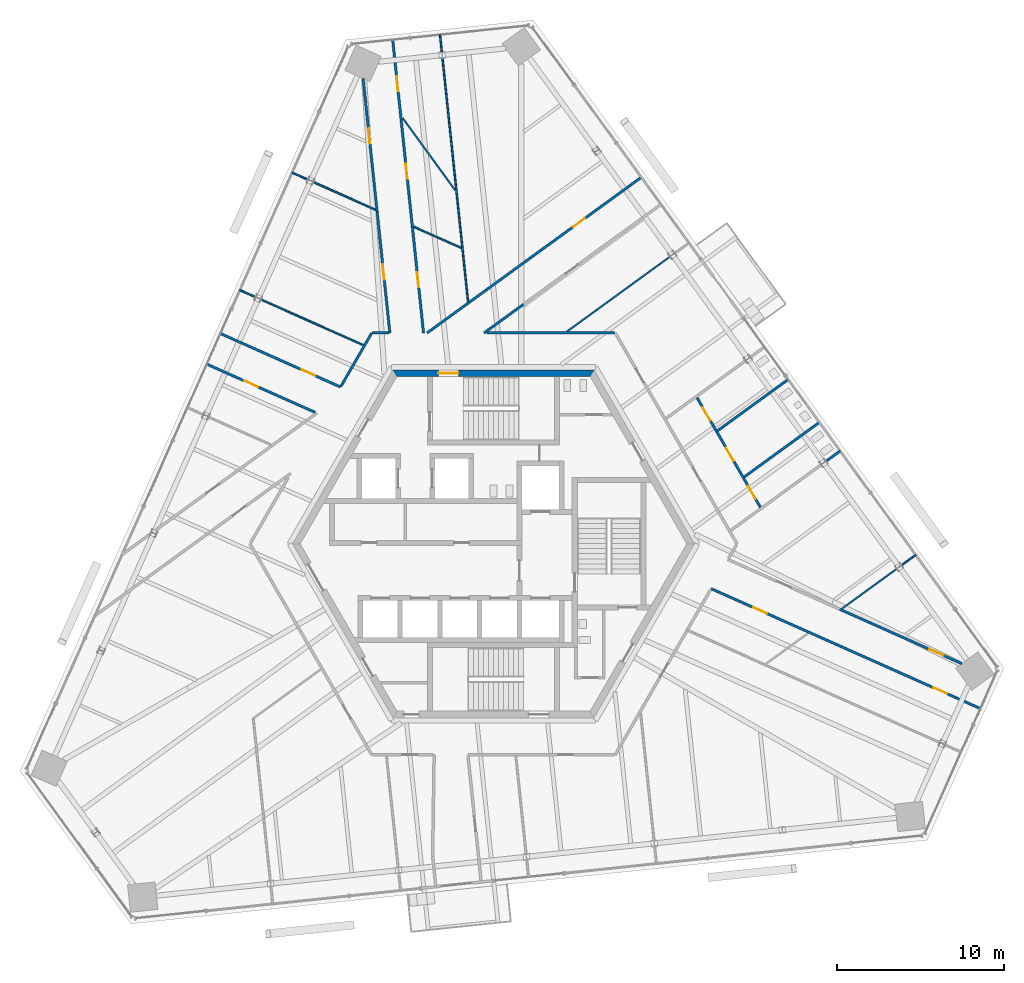
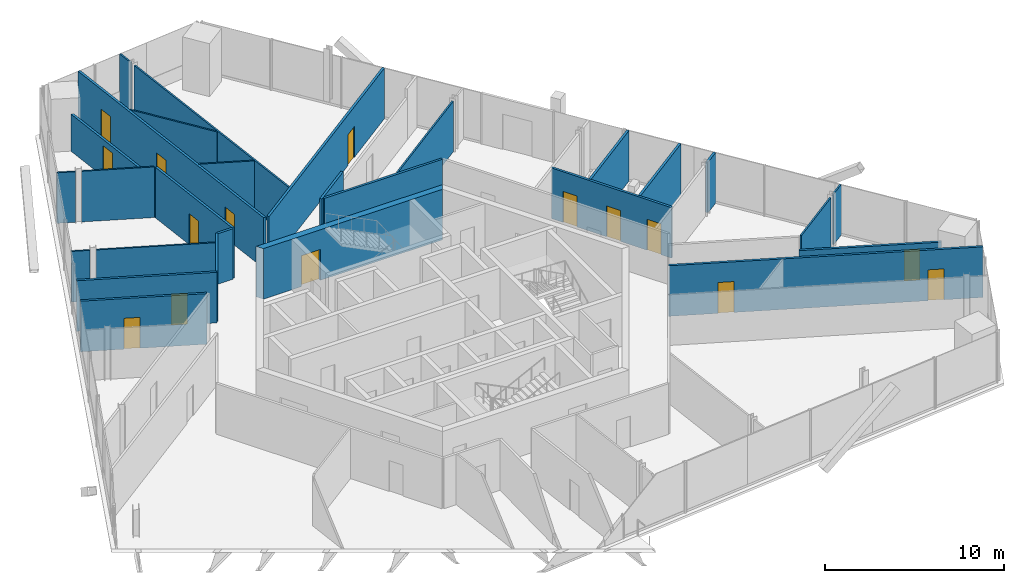
# One storey, part 14 of 19: 28 walls, 15 doors, 15 openings.
"""IFC4 building model written with IfcOpenShell, lengths in metres."""

from ifc_helpers import new_model, si_unit, direction, frame, frame_2d, origin, place, context, subcontext, project, spatial, polyline, rectangle, outline, extrude, source, transform, mapped, material, layer, layer_set, type_object, element, fill, save


model = new_model("IFC4")

# Units and contexts
model_context = context("Model", 3, precision=1e-05, world=origin(), true_north=direction((0.0, 1.0)))
body_context = subcontext(model_context, "Body", "Model", "MODEL_VIEW")
ifc_project = project(units=[si_unit("LENGTHUNIT", "METRE"), si_unit("AREAUNIT", "SQUARE_METRE"), si_unit("VOLUMEUNIT", "CUBIC_METRE"), si_unit("PLANEANGLEUNIT", "RADIAN"), si_unit("MASSUNIT", "GRAM", prefix="KILO")], contexts=[model_context])

# Site, building, storey
site_placement = place(None, origin())
site = spatial("IfcSite", under=ifc_project, at=site_placement, CompositionType="ELEMENT")
building_placement = place(site_placement, origin())
building = spatial("IfcBuilding", under=site, at=building_placement, Name="Triune Harvest Tower", CompositionType="ELEMENT")
storey_placement = place(building_placement, frame((0.0, 0.0, 244.89990234375)))
storey = spatial("IfcBuildingStorey", under=building, at=storey_placement, Name="L64", CompositionType="ELEMENT", Elevation=244.89990234375)

# Wall, opening, door
ifc_material_1 = material(Name="Gypsum board on steel studs", Category="steel")
ifc_layer_1 = layer(ifc_material_1, 0.14990234375)
ifc_layer_set_1 = layer_set([ifc_layer_1], Name="Gypsum board on steel studs")
wall_type_1 = type_object("IfcWallType", Name="Fire Partition 150 mm", PredefinedType="PARTITIONING", material=ifc_layer_set_1)
wall_1_placement = place(storey_placement, frame((-6.952880859375, 19.8525390625, 0.0), z_axis=(0.0, 0.0, 1.0), x_axis=(0.104508955869, -0.994523945485, 0.0)))
wall_1 = element("IfcWall", 1, at=wall_1_placement, inside=storey, type_object=wall_type_1, Name="Partition L64 006a", PredefinedType="PARTITIONING", context=body_context, shape_type="SweptSolid", body=[
    extrude(rectangle(XDim=7.30029296875, YDim=0.14990234375, at=frame_2d((3.650146484375, 0.0))), origin(), (0.0, 0.0, 1.0), 3.440185546875),
])
opening_1_placement = place(wall_1_placement, frame((3.19140625, 0.0, 0.0)))
opening_1 = element("IfcOpeningElement", 2, at=opening_1_placement, cuts=wall_1, Name="Opening L64-014", PredefinedType="OPENING", context=body_context, shape_type="SweptSolid", body=[
    extrude(rectangle(XDim=0.89990234375, YDim=2.10009765625, at=frame_2d((0.449951171875, 1.050048828125))), frame((0.0, 0.0849609375, 0.0), z_axis=(0.0, -1.0, 0.0), x_axis=(1.0, 0.0, 0.0)), (0.0, 0.0, 1.0), 0.169921875),
])
ifc_material_2 = material(Name="Timber and steel door set", Category="steel")
door_type_1 = type_object("IfcDoorType", Name="Single leaf door FD30 left hand 900 x 2100", OperationType="SINGLE_SWING_LEFT", PredefinedType="DOOR", material=ifc_material_2)
door_1_placement = place(opening_1_placement, origin())
door_1 = element("IfcDoor", 3, at=door_1_placement, inside=storey, type_object=door_type_1, Name="Door L64-014 Project Room 64.14", OperationType="SINGLE_SWING_LEFT", OverallHeight=2.10009765625, OverallWidth=0.89990234375, PredefinedType="DOOR", context=body_context, shape_type="SweptSolid", body=[
    extrude(rectangle(XDim=0.89990234375, YDim=2.10009765625, at=frame_2d((0.449951171875, 1.050048828125))), frame((0.0, 0.02490234375, 0.0), z_axis=(0.0, -1.0, 0.0), x_axis=(1.0, 0.0, 0.0)), (0.0, 0.0, 1.0), 0.050048828125),
])
fill(opening_1, door_1)

# Wall, openings, doors
wall_2_placement = place(storey_placement, frame((-6.018798828125, 30.096923828125, 0.0), z_axis=(0.0, 0.0, 1.0), x_axis=(0.104530266464, -0.994521705843, 0.0)))
wall_2 = element("IfcWall", 4, at=wall_2_placement, inside=storey, type_object=wall_type_1, Name="Partition L64 007", PredefinedType="PARTITIONING", context=body_context, shape_type="SweptSolid", body=[
    extrude(rectangle(XDim=17.60107421875, YDim=0.14990234375, at=frame_2d((8.800537109375, 0.0))), origin(), (0.0, 0.0, 1.0), 3.440185546875),
])
opening_2_placement = place(wall_2_placement, frame((2.177001953125, 0.0, 0.0)))
opening_2 = element("IfcOpeningElement", 5, at=opening_2_placement, cuts=wall_2, Name="Opening L64-011", PredefinedType="OPENING", context=body_context, shape_type="SweptSolid", body=[
    extrude(rectangle(XDim=0.89990234375, YDim=2.10009765625, at=frame_2d((0.449951171875, 1.050048828125))), frame((0.0, 0.0849609375, 0.0), z_axis=(0.0, -1.0, 0.0), x_axis=(1.0, 0.0, 0.0)), (0.0, 0.0, 1.0), 0.169921875),
])
opening_3_placement = place(wall_2_placement, frame((7.436767578125, 0.0, 0.0)))
opening_3 = element("IfcOpeningElement", 6, at=opening_3_placement, cuts=wall_2, Name="Opening L64-013", PredefinedType="OPENING", context=body_context, shape_type="SweptSolid", body=[
    extrude(rectangle(XDim=0.89990234375, YDim=2.10009765625, at=frame_2d((0.449951171875, 1.050048828125))), frame((0.0, 0.0849609375, 0.0), z_axis=(0.0, -1.0, 0.0), x_axis=(1.0, 0.0, 0.0)), (0.0, 0.0, 1.0), 0.169921875),
])
opening_4_placement = place(wall_2_placement, frame((13.951171875, 0.0, 0.0)))
opening_4 = element("IfcOpeningElement", 7, at=opening_4_placement, cuts=wall_2, Name="Opening L64-015", PredefinedType="OPENING", context=body_context, shape_type="SweptSolid", body=[
    extrude(rectangle(XDim=0.89990234375, YDim=2.10009765625, at=frame_2d((0.449951171875, 1.050048828125))), frame((0.0, 0.0849609375, 0.0), z_axis=(0.0, -1.0, 0.0), x_axis=(1.0, 0.0, 0.0)), (0.0, 0.0, 1.0), 0.169921875),
])
door_2_placement = place(opening_2_placement, origin())
door_2 = element("IfcDoor", 8, at=door_2_placement, inside=storey, type_object=door_type_1, Name="Door L64-011 Reception 64.11", OperationType="SINGLE_SWING_LEFT", OverallHeight=2.10009765625, OverallWidth=0.89990234375, PredefinedType="DOOR", context=body_context, shape_type="SweptSolid", body=[
    extrude(rectangle(XDim=0.89990234375, YDim=2.10009765625, at=frame_2d((0.449951171875, 1.050048828125))), frame((0.0, 0.02490234375, 0.0), z_axis=(0.0, -1.0, 0.0), x_axis=(1.0, 0.0, 0.0)), (0.0, 0.0, 1.0), 0.050048828125),
])
fill(opening_2, door_2)
door_3_placement = place(opening_3_placement, origin())
door_3 = element("IfcDoor", 9, at=door_3_placement, inside=storey, type_object=door_type_1, Name="Door L64-013 Dry Store Room 64.13", OperationType="SINGLE_SWING_LEFT", OverallHeight=2.10009765625, OverallWidth=0.89990234375, PredefinedType="DOOR", context=body_context, shape_type="SweptSolid", body=[
    extrude(rectangle(XDim=0.89990234375, YDim=2.10009765625, at=frame_2d((0.449951171875, 1.050048828125))), frame((0.0, 0.02490234375, 0.0), z_axis=(0.0, -1.0, 0.0), x_axis=(1.0, 0.0, 0.0)), (0.0, 0.0, 1.0), 0.050048828125),
])
fill(opening_3, door_3)
ifc_material_3 = material(Name="Timber and steel door set", Category="steel")
door_type_2 = type_object("IfcDoorType", Name="Single leaf door FD30 right hand 900 x 2100", OperationType="SINGLE_SWING_RIGHT", PredefinedType="DOOR", material=ifc_material_3)
door_4_placement = place(opening_4_placement, origin())
door_4 = element("IfcDoor", 10, at=door_4_placement, inside=storey, type_object=door_type_2, Name="Door L64-015 Meeting Room 64.15", OperationType="SINGLE_SWING_RIGHT", OverallHeight=2.10009765625, OverallWidth=0.89990234375, PredefinedType="DOOR", context=body_context, shape_type="SweptSolid", body=[
    extrude(rectangle(XDim=0.89990234375, YDim=2.10009765625, at=frame_2d((0.449951171875, 1.050048828125))), frame((0.0, 0.02490234375, 0.0), z_axis=(0.0, -1.0, 0.0), x_axis=(1.0, 0.0, 0.0)), (0.0, 0.0, 1.0), 0.050048828125),
])
fill(opening_4, door_4)

wall_3_placement = place(storey_placement, frame((12.114501953125, 8.8017578125, 0.0), z_axis=(0.0, 0.0, 1.0), x_axis=(0.499995228395, -0.866028158654, 0.0)))
wall_3 = element("IfcWall", 11, at=wall_3_placement, inside=storey, type_object=wall_type_1, Name="Partition L64 017", PredefinedType="PARTITIONING", context=body_context, shape_type="SweptSolid", body=[
    extrude(rectangle(XDim=7.7216796875, YDim=0.14990234375, at=frame_2d((3.86083984375, 0.0))), origin(), (0.0, 0.0, 1.0), 3.440185546875),
])
opening_5_placement = place(wall_3_placement, frame((6.171875, 0.0, 0.0)))
opening_5 = element("IfcOpeningElement", 12, at=opening_5_placement, cuts=wall_3, Name="Opening L64-005", PredefinedType="OPENING", context=body_context, shape_type="SweptSolid", body=[
    extrude(rectangle(XDim=0.89990234375, YDim=2.10009765625, at=frame_2d((0.449951171875, 1.050048828125))), frame((0.0, 0.0849609375, 0.0), z_axis=(0.0, -1.0, 0.0), x_axis=(1.0, 0.0, 0.0)), (0.0, 0.0, 1.0), 0.169921875),
])
opening_6_placement = place(wall_3_placement, frame((3.548583984375, 0.0, 0.0)))
opening_6 = element("IfcOpeningElement", 13, at=opening_6_placement, cuts=wall_3, Name="Opening L64-006", PredefinedType="OPENING", context=body_context, shape_type="SweptSolid", body=[
    extrude(rectangle(XDim=0.89990234375, YDim=2.10009765625, at=frame_2d((0.449951171875, 1.050048828125))), frame((0.0, 0.0849609375, 0.0), z_axis=(0.0, -1.0, 0.0), x_axis=(1.0, 0.0, 0.0)), (0.0, 0.0, 1.0), 0.169921875),
])
opening_7_placement = place(wall_3_placement, frame((0.76318359375, 0.0, 0.0)))
opening_7 = element("IfcOpeningElement", 14, at=opening_7_placement, cuts=wall_3, Name="Opening L64-007", PredefinedType="OPENING", context=body_context, shape_type="SweptSolid", body=[
    extrude(rectangle(XDim=0.89990234375, YDim=2.10009765625, at=frame_2d((0.449951171875, 1.050048828125))), frame((0.0, 0.0849609375, 0.0), z_axis=(0.0, -1.0, 0.0), x_axis=(1.0, 0.0, 0.0)), (0.0, 0.0, 1.0), 0.169921875),
])
door_5_placement = place(opening_7_placement, origin())
door_5 = element("IfcDoor", 15, at=door_5_placement, inside=storey, type_object=door_type_1, Name="Door L64-007 Accessible WC 64.07", OperationType="SINGLE_SWING_LEFT", OverallHeight=2.10009765625, OverallWidth=0.89990234375, PredefinedType="DOOR", context=body_context, shape_type="SweptSolid", body=[
    extrude(rectangle(XDim=0.89990234375, YDim=2.10009765625, at=frame_2d((0.449951171875, 1.050048828125))), frame((0.0, 0.02490234375, 0.0), z_axis=(0.0, -1.0, 0.0), x_axis=(1.0, 0.0, 0.0)), (0.0, 0.0, 1.0), 0.050048828125),
])
fill(opening_7, door_5)
door_6_placement = place(opening_5_placement, origin())
door_6 = element("IfcDoor", 16, at=door_6_placement, inside=storey, type_object=door_type_2, Name="Door L64-005 Women's WC 64.05", OperationType="SINGLE_SWING_RIGHT", OverallHeight=2.10009765625, OverallWidth=0.89990234375, PredefinedType="DOOR", context=body_context, shape_type="SweptSolid", body=[
    extrude(rectangle(XDim=0.89990234375, YDim=2.10009765625, at=frame_2d((0.449951171875, 1.050048828125))), frame((0.0, 0.02490234375, 0.0), z_axis=(0.0, -1.0, 0.0), x_axis=(1.0, 0.0, 0.0)), (0.0, 0.0, 1.0), 0.050048828125),
])
fill(opening_5, door_6)
door_7_placement = place(opening_6_placement, origin())
door_7 = element("IfcDoor", 17, at=door_7_placement, inside=storey, type_object=door_type_2, Name="Door L64-006 Men's WC 64.06", OperationType="SINGLE_SWING_RIGHT", OverallHeight=2.10009765625, OverallWidth=0.89990234375, PredefinedType="DOOR", context=body_context, shape_type="SweptSolid", body=[
    extrude(rectangle(XDim=0.89990234375, YDim=2.10009765625, at=frame_2d((0.449951171875, 1.050048828125))), frame((0.0, 0.02490234375, 0.0), z_axis=(0.0, -1.0, 0.0), x_axis=(1.0, 0.0, 0.0)), (0.0, 0.0, 1.0), 0.050048828125),
])
fill(opening_6, door_7)

# Wall, opening, door
wall_4_placement = place(storey_placement, frame((-17.118896484375, 10.73046875, 0.0), z_axis=(0.0, 0.0, 1.0), x_axis=(0.913533931173, -0.406762530964, 0.0)))
wall_4 = element("IfcWall", 18, at=wall_4_placement, inside=storey, type_object=wall_type_1, Name="Partition L64 023", PredefinedType="PARTITIONING", context=body_context, shape_type="SweptSolid", body=[
    extrude(rectangle(XDim=7.076904296875, YDim=0.14990234375, at=frame_2d((3.53857421875, 0.0))), origin(), (0.0, 0.0, 1.0), 3.440185546875),
])
opening_8_placement = place(wall_4_placement, frame((2.449951171875, 0.0, 0.0)))
opening_8 = element("IfcOpeningElement", 19, at=opening_8_placement, cuts=wall_4, Name="Opening L64-016", PredefinedType="OPENING", context=body_context, shape_type="SweptSolid", body=[
    extrude(rectangle(XDim=0.89990234375, YDim=2.10009765625, at=frame_2d((0.449951171875, 1.050048828125))), frame((0.0, 0.0849609375, 0.0), z_axis=(0.0, -1.0, 0.0), x_axis=(1.0, 0.0, 0.0)), (0.0, 0.0, 1.0), 0.169921875),
])
door_8_placement = place(opening_8_placement, origin())
door_8 = element("IfcDoor", 20, at=door_8_placement, inside=storey, type_object=door_type_2, Name="Door L64-016 Meeting Room 64.16", OperationType="SINGLE_SWING_RIGHT", OverallHeight=2.10009765625, OverallWidth=0.89990234375, PredefinedType="DOOR", context=body_context, shape_type="SweptSolid", body=[
    extrude(rectangle(XDim=0.89990234375, YDim=2.10009765625, at=frame_2d((0.449951171875, 1.050048828125))), frame((0.0, 0.02490234375, 0.0), z_axis=(0.0, -1.0, 0.0), x_axis=(1.0, 0.0, 0.0)), (0.0, 0.0, 1.0), 0.050048828125),
])
fill(opening_8, door_8)

# Wall, openings, doors
wall_5_placement = place(storey_placement, frame((12.99462890625, -2.677001953125, 0.0), z_axis=(0.0, 0.0, 1.0), x_axis=(0.913543662377, -0.406740675284, 0.0)))
wall_5 = element("IfcWall", 21, at=wall_5_placement, inside=storey, type_object=wall_type_1, Name="Partition L64 024", PredefinedType="PARTITIONING", context=body_context, shape_type="SweptSolid", body=[
    extrude(rectangle(XDim=17.601318359375, YDim=0.14990234375, at=frame_2d((8.80078125, 0.0))), origin(), (0.0, 0.0, 1.0), 3.440185546875),
])
opening_9_placement = place(wall_5_placement, frame((2.75, 0.0, 0.0)))
opening_9 = element("IfcOpeningElement", 22, at=opening_9_placement, cuts=wall_5, Name="Opening L64-002", PredefinedType="OPENING", context=body_context, shape_type="SweptSolid", body=[
    extrude(rectangle(XDim=0.89990234375, YDim=2.10009765625, at=frame_2d((0.449951171875, 1.050048828125))), frame((0.0, 0.0849609375, 0.0), z_axis=(0.0, -1.0, 0.0), x_axis=(1.0, 0.0, 0.0)), (0.0, 0.0, 1.0), 0.169921875),
])
opening_10_placement = place(wall_5_placement, frame((14.52392578125, 0.0, 0.0)))
opening_10 = element("IfcOpeningElement", 23, at=opening_10_placement, cuts=wall_5, Name="Opening L64-025", PredefinedType="OPENING", context=body_context, shape_type="SweptSolid", body=[
    extrude(rectangle(XDim=0.89990234375, YDim=2.10009765625, at=frame_2d((0.449951171875, 1.050048828125))), frame((0.0, 0.0849609375, 0.0), z_axis=(0.0, -1.0, 0.0), x_axis=(1.0, 0.0, 0.0)), (0.0, 0.0, 1.0), 0.169921875),
])
door_9_placement = place(opening_10_placement, origin())
door_9 = element("IfcDoor", 24, at=door_9_placement, inside=storey, type_object=door_type_1, Name="Door L64-025 Phone room 64.25", OperationType="SINGLE_SWING_LEFT", OverallHeight=2.10009765625, OverallWidth=0.89990234375, PredefinedType="DOOR", context=body_context, shape_type="SweptSolid", body=[
    extrude(rectangle(XDim=0.89990234375, YDim=2.10009765625, at=frame_2d((0.449951171875, 1.050048828125))), frame((0.0, 0.02490234375, 0.0), z_axis=(0.0, -1.0, 0.0), x_axis=(1.0, 0.0, 0.0)), (0.0, 0.0, 1.0), 0.050048828125),
])
fill(opening_10, door_9)
door_10_placement = place(opening_9_placement, origin())
door_10 = element("IfcDoor", 25, at=door_10_placement, inside=storey, type_object=door_type_2, Name="Door L64-002 Meeting Room 64.02", OperationType="SINGLE_SWING_RIGHT", OverallHeight=2.10009765625, OverallWidth=0.89990234375, PredefinedType="DOOR", context=body_context, shape_type="SweptSolid", body=[
    extrude(rectangle(XDim=0.89990234375, YDim=2.10009765625, at=frame_2d((0.449951171875, 1.050048828125))), frame((0.0, 0.02490234375, 0.0), z_axis=(0.0, -1.0, 0.0), x_axis=(1.0, 0.0, 0.0)), (0.0, 0.0, 1.0), 0.050048828125),
])
fill(opening_9, door_10)

# Wall, opening, door
wall_6_placement = place(storey_placement, frame((-16.3056640625, 12.5576171875, 0.0), z_axis=(0.0, 0.0, 1.0), x_axis=(0.913545895121, -0.406735660481, 0.0)))
wall_6 = element("IfcWall", 26, at=wall_6_placement, inside=storey, type_object=wall_type_1, Name="Partition L64 025", PredefinedType="PARTITIONING", context=body_context, shape_type="SweptSolid", body=[
    extrude(rectangle(XDim=7.8505859375, YDim=0.14990234375, at=frame_2d((3.92529296875, 0.0))), origin(), (0.0, 0.0, 1.0), 3.440185546875),
])
opening_11_placement = place(wall_6_placement, frame((5.300537109375, 0.0, 0.0)))
opening_11 = element("IfcOpeningElement", 27, at=opening_11_placement, cuts=wall_6, Name="Opening L64-017", PredefinedType="OPENING", context=body_context, shape_type="SweptSolid", body=[
    extrude(rectangle(XDim=0.89990234375, YDim=2.10009765625, at=frame_2d((0.449951171875, 1.050048828125))), frame((0.0, 0.0849609375, 0.0), z_axis=(0.0, -1.0, 0.0), x_axis=(1.0, 0.0, 0.0)), (0.0, 0.0, 1.0), 0.169921875),
])
door_11_placement = place(opening_11_placement, origin())
door_11 = element("IfcDoor", 28, at=door_11_placement, inside=storey, type_object=door_type_2, Name="Door L64-017 Office 64.17", OperationType="SINGLE_SWING_RIGHT", OverallHeight=2.10009765625, OverallWidth=0.89990234375, PredefinedType="DOOR", context=body_context, shape_type="SweptSolid", body=[
    extrude(rectangle(XDim=0.89990234375, YDim=2.10009765625, at=frame_2d((0.449951171875, 1.050048828125))), frame((0.0, 0.02490234375, 0.0), z_axis=(0.0, -1.0, 0.0), x_axis=(1.0, 0.0, 0.0)), (0.0, 0.0, 1.0), 0.050048828125),
])
fill(opening_11, door_11)

# Walls
wall_7_placement = place(storey_placement, frame((-0.37451171875, 12.59228515625, 0.0), z_axis=(0.0, 0.0, 1.0), x_axis=(1.0, 0.0, 0.0)))
element("IfcWall", 29, at=wall_7_placement, inside=storey, type_object=wall_type_1, Name="Partition L64 035", PredefinedType="PARTITIONING", context=body_context, shape_type="SweptSolid", body=[
    extrude(rectangle(XDim=7.5947265625, YDim=0.14990234375, at=frame_2d((3.79736328125, 0.0))), origin(), (0.0, 0.0, 1.0), 3.440185546875),
])
wall_8_placement = place(storey_placement, frame((19.849365234375, 4.92919921875, 0.0), z_axis=(0.0, 0.0, 1.0), x_axis=(0.808967759712, 0.587853012025, 0.0)))
element("IfcWall", 30, at=wall_8_placement, inside=storey, type_object=wall_type_1, Name="Partition L64 040", PredefinedType="PARTITIONING", context=body_context, shape_type="SweptSolid", body=[
    extrude(rectangle(XDim=1.0478515625, YDim=0.14990234375, at=frame_2d((0.52392578125, 0.0))), origin(), (0.0, 0.0, 1.0), 3.440185546875),
])
wall_9_placement = place(storey_placement, frame((14.962158203125, 3.98876953125, 0.0), z_axis=(0.0, 0.0, 1.0), x_axis=(0.809032498403, 0.587763912237, 0.0)))
element("IfcWall", 31, at=wall_9_placement, inside=storey, type_object=wall_type_1, Name="Partition L64 041", PredefinedType="PARTITIONING", context=body_context, shape_type="SweptSolid", body=[
    extrude(rectangle(XDim=5.554443359375, YDim=0.14990234375, at=frame_2d((2.77734375, 0.0))), origin(), (0.0, 0.0, 1.0), 3.440185546875),
])
wall_10_placement = place(storey_placement, frame((13.36962890625, 6.7470703125, 0.0), z_axis=(0.0, 0.0, 1.0), x_axis=(0.809025117745, 0.58777407127, 0.0)))
element("IfcWall", 32, at=wall_10_placement, inside=storey, type_object=wall_type_1, Name="Partition L64 042", PredefinedType="PARTITIONING", context=body_context, shape_type="SweptSolid", body=[
    extrude(rectangle(XDim=5.221435546875, YDim=0.14990234375, at=frame_2d((2.61083984375, 0.0))), origin(), (0.0, 0.0, 1.0), 3.440185546875),
])
wall_11_placement = place(storey_placement, frame((-0.564453125, 12.59228515625, 0.0), z_axis=(0.0, 0.0, 1.0), x_axis=(0.80901618863, 0.587786361304, 0.0)))
element("IfcWall", 33, at=wall_11_placement, inside=storey, type_object=wall_type_1, Name="Partition L64 049", PredefinedType="PARTITIONING", context=body_context, shape_type="SweptSolid", body=[
    extrude(rectangle(XDim=2.9013671875, YDim=0.14990234375, at=frame_2d((1.45068359375, 0.0))), origin(), (0.0, 0.0, 1.0), 3.440185546875),
])

# Wall, opening, door
wall_12_placement = place(storey_placement, frame((-3.967041015625, 12.59228515625, 0.0), z_axis=(0.0, 0.0, 1.0), x_axis=(0.809018431706, 0.587783273971, 0.0)))
wall_12 = element("IfcWall", 34, at=wall_12_placement, inside=storey, type_object=wall_type_1, Name="Partition L64 052", PredefinedType="PARTITIONING", context=body_context, shape_type="SweptSolid", body=[
    extrude(rectangle(XDim=15.8115234375, YDim=0.14990234375, at=frame_2d((7.90576171875, 0.0))), origin(), (0.0, 0.0, 1.0), 3.440185546875),
])
opening_12_placement = place(wall_12_placement, frame((10.761474609375, 0.0, 0.0)))
opening_12 = element("IfcOpeningElement", 35, at=opening_12_placement, cuts=wall_12, Name="Opening L64-009", PredefinedType="OPENING", context=body_context, shape_type="SweptSolid", body=[
    extrude(rectangle(XDim=0.89990234375, YDim=2.10009765625, at=frame_2d((0.449951171875, 1.050048828125))), frame((0.0, 0.0849609375, 0.0), z_axis=(0.0, -1.0, 0.0), x_axis=(1.0, 0.0, 0.0)), (0.0, 0.0, 1.0), 0.169921875),
])
door_12_placement = place(opening_12_placement, origin())
door_12 = element("IfcDoor", 36, at=door_12_placement, inside=storey, type_object=door_type_2, Name="Door L64-009 Office 64.09", OperationType="SINGLE_SWING_RIGHT", OverallHeight=2.10009765625, OverallWidth=0.89990234375, PredefinedType="DOOR", context=body_context, shape_type="SweptSolid", body=[
    extrude(rectangle(XDim=0.89990234375, YDim=2.10009765625, at=frame_2d((0.449951171875, 1.050048828125))), frame((0.0, 0.02490234375, 0.0), z_axis=(0.0, -1.0, 0.0), x_axis=(1.0, 0.0, 0.0)), (0.0, 0.0, 1.0), 0.050048828125),
])
fill(opening_12, door_12)

# Walls
wall_13_placement = place(storey_placement, frame((-9.10888671875, 9.407470703125, 0.0), z_axis=(0.0, 0.0, 1.0), x_axis=(0.499965700209, 0.866045205872, 0.0)))
element("IfcWall", 37, at=wall_13_placement, inside=storey, type_object=wall_type_1, Name="Partition L64 056", PredefinedType="PARTITIONING", context=body_context, shape_type="SweptSolid", body=[
    extrude(rectangle(XDim=3.677978515625, YDim=0.14990234375, at=frame_2d((1.8388671875, 0.0))), origin(), (0.0, 0.0, 1.0), 3.440185546875),
])
ifc_material_4 = material(Name="Gypsum board on steel studs", Category="steel")
ifc_layer_2 = layer(ifc_material_4, 0.10009765625)
ifc_layer_set_2 = layer_set([ifc_layer_2], Name="Gypsum board on steel studs")
wall_type_2 = type_object("IfcWallType", Name="Partition 100 mm", PredefinedType="PARTITIONING", material=ifc_layer_set_2)
wall_14_placement = place(storey_placement, frame((-3.050048828125, 29.01806640625, 0.0), z_axis=(0.0, 0.0, 1.0), x_axis=(0.10453452259, -0.994521258489, 0.0)))
element("IfcWall", 38, at=wall_14_placement, inside=storey, type_object=wall_type_2, Name="Partition L64 010", PredefinedType="PARTITIONING", context=body_context, shape_type="SweptSolid", body=[
    extrude(rectangle(XDim=14.6318359375, YDim=0.10009765625, at=frame_2d((7.31591796875, 0.0))), origin(), (0.0, 0.0, 1.0), 3.440185546875),
])
wall_15_placement = place(storey_placement, frame((-5.427978515625, 25.43310546875, 0.0), z_axis=(0.0, 0.0, 1.0), x_axis=(0.587771232927, -0.809027179855, 0.0)))
element("IfcWall", 39, at=wall_15_placement, inside=storey, type_object=wall_type_2, Name="Partition L64 018", PredefinedType="PARTITIONING", context=body_context, shape_type="SweptSolid", body=[
    extrude(rectangle(XDim=5.32958984375, YDim=0.10009765625, at=frame_2d((2.664794921875, 0.0))), origin(), (0.0, 0.0, 1.0), 3.440185546875),
])
wall_16_placement = place(storey_placement, frame((-10.76318359375, 21.6044921875, 0.0), z_axis=(0.0, 0.0, 1.0), x_axis=(0.913546929061, -0.406733338201, 0.0)))
element("IfcWall", 40, at=wall_16_placement, inside=storey, type_object=wall_type_2, Name="Partition L64 030", PredefinedType="PARTITIONING", context=body_context, shape_type="SweptSolid", body=[
    extrude(rectangle(XDim=4.073974609375, YDim=0.10009765625, at=frame_2d((2.037109375, 0.0))), origin(), (0.0, 0.0, 1.0), 3.440185546875),
])
wall_17_placement = place(storey_placement, frame((-4.76708984375, 18.934814453125, 0.0), z_axis=(0.0, 0.0, 1.0), x_axis=(0.913553135522, -0.406719397838, 0.0)))
element("IfcWall", 41, at=wall_17_placement, inside=storey, type_object=wall_type_2, Name="Partition L64 031", PredefinedType="PARTITIONING", context=body_context, shape_type="SweptSolid", body=[
    extrude(rectangle(XDim=3.118896484375, YDim=0.10009765625, at=frame_2d((1.5595703125, 0.0))), origin(), (0.0, 0.0, 1.0), 3.440185546875),
])
wall_18_placement = place(storey_placement, frame((20.795654296875, -3.875732421875, 0.0), z_axis=(0.0, 0.0, 1.0), x_axis=(0.809018438232, 0.587783264989, 0.0)))
element("IfcWall", 42, at=wall_18_placement, inside=storey, type_object=wall_type_2, Name="Partition L64 037", PredefinedType="PARTITIONING", context=body_context, shape_type="SweptSolid", body=[
    extrude(rectangle(XDim=4.07421875, YDim=0.10009765625, at=frame_2d((2.037109375, 0.0))), origin(), (0.0, 0.0, 1.0), 3.440185546875),
])
wall_19_placement = place(storey_placement, frame((4.39599609375, 12.686279296875, 0.0), z_axis=(0.0, 0.0, 1.0), x_axis=(0.80901634579, 0.587786144992, 0.0)))
element("IfcWall", 43, at=wall_19_placement, inside=storey, type_object=wall_type_2, Name="Partition L64 046", PredefinedType="PARTITIONING", context=body_context, shape_type="SweptSolid", body=[
    extrude(rectangle(XDim=7.60693359375, YDim=0.10009765625, at=frame_2d((3.803466796875, 0.0))), origin(), (0.0, 0.0, 1.0), 3.440185546875),
])

# Wall, opening, door
ifc_material_5 = material(Name="Concrete 70 MPa", Category="concrete")
ifc_layer_3 = layer(ifc_material_5, 0.39990234375)
ifc_layer_set_3 = layer_set([ifc_layer_3], Name="Concrete 70 MPa")
wall_type_3 = type_object("IfcWallType", Name="Core wall 400", PredefinedType="SHEAR", material=ifc_layer_set_3)
shared_shape_1 = source(origin(), body_context, "Body", "SweptSolid", [
    extrude(outline(polyline([(-0.115478515625, -0.199951171875), (11.884521484375, -0.199951171875), (11.653564453125, 0.199951171875), (0.115478515625, 0.199951171875), (-0.115478515625, -0.199951171875)])), origin(), (0.0, 0.0, 1.0), 3.440185546875),
])
wall_20_placement = place(storey_placement, frame((5.884521484375, 10.1923828125, 0.0), z_axis=(0.0, 0.0, 1.0), x_axis=(-1.0, 0.0, 0.0)))
wall_20 = element("IfcWall", 44, at=wall_20_placement, inside=storey, type_object=wall_type_3, Name="Hexagon 1 wall", PredefinedType="SHEAR", context=body_context, shape_type="MappedRepresentation", body=[
    mapped(shared_shape_1, transform((0.0, 0.0, 0.0), scale=1.0)),
])
opening_13_placement = place(wall_20_placement, frame((7.984619140625, 0.0, 0.0)))
opening_13 = element("IfcOpeningElement", 45, at=opening_13_placement, cuts=wall_20, Name="Opening CD-S1P", PredefinedType="OPENING", context=body_context, shape_type="SweptSolid", body=[
    extrude(rectangle(XDim=1.199951171875, YDim=2.10009765625, at=frame_2d((0.60009765625, 1.050048828125))), frame((0.0, 0.2099609375, 0.0), z_axis=(0.0, -1.0, 0.0), x_axis=(1.0, 0.0, 0.0)), (0.0, 0.0, 1.0), 0.419921875),
])
ifc_material_6 = material(Name="Steel S235", Category="steel")
door_type_3 = type_object("IfcDoorType", Name="Stair door 1200 FD120", OperationType="SINGLE_SWING_LEFT", PredefinedType="DOOR", material=ifc_material_6)
door_13_placement = place(opening_13_placement, frame((1.199951171875, 0.0, 0.0), z_axis=(0.0, 0.0, 1.0), x_axis=(-1.0, 0.0, 0.0)))
door_13 = element("IfcDoor", 46, at=door_13_placement, inside=storey, type_object=door_type_3, Name="Door CD-S1P", OperationType="SINGLE_SWING_RIGHT", OverallHeight=2.10009765625, OverallWidth=1.199951171875, PredefinedType="DOOR", context=body_context, shape_type="SweptSolid", body=[
    extrude(rectangle(XDim=1.199951171875, YDim=2.10009765625, at=frame_2d((0.60009765625, 1.050048828125))), frame((0.0, 0.02490234375, 0.0), z_axis=(0.0, -1.0, 0.0), x_axis=(1.0, 0.0, 0.0)), (0.0, 0.0, 1.0), 0.050048828125),
])
fill(opening_13, door_13)

# Walls
shared_shape_2 = source(origin(), body_context, "Body", "SweptSolid", [
    extrude(rectangle(XDim=1.0478515625, YDim=0.10009765625, at=frame_2d((0.52392578125, 0.0))), origin(), (0.0, 0.0, 1.0), 3.440185546875),
])
for number, where, z_axis, x_axis, name in (
    (47, (-15.150634765625, 15.151611328125, 0.0), (0.0, 0.0, 1.0), (0.913609658968, -0.406592413899, 0.0), "Partition L64 027"),
    (48, (-12.027099609375, 22.167236328125, 0.0), (0.0, 0.0, 1.0), (0.91352309314, -0.406786870855, 0.0), "Partition L64 029"),
    (49, (24.36328125, -1.28369140625, 0.0), (0.0, 0.0, 1.0), (0.808967759712, 0.587853012025, 0.0), "Partition L64 038"),
):
    element("IfcWall", number, at=place(storey_placement, frame(where, z_axis=z_axis, x_axis=x_axis)), inside=storey, type_object=wall_type_2, Name=name, PredefinedType="PARTITIONING", context=body_context, shape_type="MappedRepresentation", body=[
        mapped(shared_shape_2, transform((0.0, 0.0, 0.0), scale=1.0)),
    ])
shared_shape_3 = source(origin(), body_context, "Body", "SweptSolid", [
    extrude(rectangle(XDim=1.047607421875, YDim=0.10009765625, at=frame_2d((0.52392578125, 0.0))), origin(), (0.0, 0.0, 1.0), 3.440185546875),
])
wall_21_placement = place(storey_placement, frame((-3.194580078125, 30.393798828125, 0.0), z_axis=(0.0, 0.0, 1.0), x_axis=(0.104393662676, -0.994536054245, 0.0)))
element("IfcWall", 50, at=wall_21_placement, inside=storey, type_object=wall_type_2, Name="Partition L64 009", PredefinedType="PARTITIONING", context=body_context, shape_type="MappedRepresentation", body=[
    mapped(shared_shape_3, transform((0.0, 0.0, 0.0), scale=1.0)),
])

# Wall, opening, door
shared_shape_4 = source(origin(), body_context, "Body", "SweptSolid", [
    extrude(rectangle(XDim=7.98486328125, YDim=0.14990234375, at=frame_2d((3.992431640625, 0.0))), origin(), (0.0, 0.0, 1.0), 2.525634765625),
])
wall_22_placement = place(storey_placement, frame((-7.78759765625, 27.793701171875, 0.0), z_axis=(0.0, 0.0, 1.0), x_axis=(0.104536765661, -0.994521022716, 0.0)))
wall_22 = element("IfcWall", 51, at=wall_22_placement, inside=storey, type_object=wall_type_1, Name="Partition L64 006", PredefinedType="PARTITIONING", context=body_context, shape_type="MappedRepresentation", body=[
    mapped(shared_shape_4, transform((0.0, 0.0, 0.0), scale=1.0)),
])
opening_14_placement = place(wall_22_placement, frame((3.007080078125, 0.0, 0.0)))
opening_14 = element("IfcOpeningElement", 52, at=opening_14_placement, cuts=wall_22, Name="Opening L64-012", PredefinedType="OPENING", context=body_context, shape_type="SweptSolid", body=[
    extrude(rectangle(XDim=0.89990234375, YDim=2.10009765625, at=frame_2d((0.449951171875, 1.050048828125))), frame((0.0, 0.0849609375, 0.0), z_axis=(0.0, -1.0, 0.0), x_axis=(1.0, 0.0, 0.0)), (0.0, 0.0, 1.0), 0.169921875),
])
door_14_placement = place(opening_14_placement, origin())
door_14 = element("IfcDoor", 53, at=door_14_placement, inside=storey, type_object=door_type_2, Name="Door L64-012 Meeting Room 64.12", OperationType="SINGLE_SWING_RIGHT", OverallHeight=2.10009765625, OverallWidth=0.89990234375, PredefinedType="DOOR", context=body_context, shape_type="SweptSolid", body=[
    extrude(rectangle(XDim=0.89990234375, YDim=2.10009765625, at=frame_2d((0.449951171875, 1.050048828125))), frame((0.0, 0.02490234375, 0.0), z_axis=(0.0, -1.0, 0.0), x_axis=(1.0, 0.0, 0.0)), (0.0, 0.0, 1.0), 0.050048828125),
])
fill(opening_14, door_14)

shared_shape_5 = source(origin(), body_context, "Body", "SweptSolid", [
    extrude(rectangle(XDim=7.983642578125, YDim=0.14990234375, at=frame_2d((3.99169921875, 0.0))), origin(), (0.0, 0.0, 1.0), 2.525634765625),
])
wall_23_placement = place(storey_placement, frame((20.67041015625, -3.9052734375, 0.0), z_axis=(0.0, 0.0, 1.0), x_axis=(0.913542750417, -0.406742723549, 0.0)))
wall_23 = element("IfcWall", 54, at=wall_23_placement, inside=storey, type_object=wall_type_1, Name="Partition L64 026a", PredefinedType="PARTITIONING", context=body_context, shape_type="MappedRepresentation", body=[
    mapped(shared_shape_5, transform((0.0, 0.0, 0.0), scale=1.0)),
])
opening_15_placement = place(wall_23_placement, frame((5.876708984375, 0.0, 0.0)))
opening_15 = element("IfcOpeningElement", 55, at=opening_15_placement, cuts=wall_23, Name="Opening L64-001", PredefinedType="OPENING", context=body_context, shape_type="SweptSolid", body=[
    extrude(rectangle(XDim=0.89990234375, YDim=2.10009765625, at=frame_2d((0.449951171875, 1.050048828125))), frame((0.0, 0.0849609375, 0.0), z_axis=(0.0, -1.0, 0.0), x_axis=(1.0, 0.0, 0.0)), (0.0, 0.0, 1.0), 0.169921875),
])
door_15_placement = place(opening_15_placement, origin())
door_15 = element("IfcDoor", 56, at=door_15_placement, inside=storey, type_object=door_type_2, Name="Door L64-001 Office 64.01", OperationType="SINGLE_SWING_RIGHT", OverallHeight=2.10009765625, OverallWidth=0.89990234375, PredefinedType="DOOR", context=body_context, shape_type="SweptSolid", body=[
    extrude(rectangle(XDim=0.89990234375, YDim=2.10009765625, at=frame_2d((0.449951171875, 1.050048828125))), frame((0.0, 0.02490234375, 0.0), z_axis=(0.0, -1.0, 0.0), x_axis=(1.0, 0.0, 0.0)), (0.0, 0.0, 1.0), 0.050048828125),
])
fill(opening_15, door_15)

# Walls
shared_shape_6 = source(origin(), body_context, "Body", "SweptSolid", [
    extrude(rectangle(XDim=6.765625, YDim=0.10009765625, at=frame_2d((3.3828125, 0.0))), origin(), (0.0, 0.0, 1.0), 3.440185546875),
])
wall_24_placement = place(storey_placement, frame((-13.88671875, 14.589111328125, 0.0), z_axis=(0.0, 0.0, 1.0), x_axis=(0.913537538472, -0.406754429359, 0.0)))
element("IfcWall", 57, at=wall_24_placement, inside=storey, type_object=wall_type_2, Name="Partition L64 028", PredefinedType="PARTITIONING", context=body_context, shape_type="MappedRepresentation", body=[
    mapped(shared_shape_6, transform((0.0, 0.0, 0.0), scale=1.0)),
])
shared_shape_7 = source(origin(), body_context, "Body", "SweptSolid", [
    extrude(rectangle(XDim=0.97021484375, YDim=0.14990234375, at=frame_2d((0.485107421875, 0.0))), origin(), (0.0, 0.0, 1.0), 3.440185546875),
])
wall_25_placement = place(storey_placement, frame((-7.22021484375, 12.59228515625, 0.0), z_axis=(0.0, 0.0, 1.0), x_axis=(1.0, 0.0, 0.0)))
element("IfcWall", 58, at=wall_25_placement, inside=storey, type_object=wall_type_1, Name="Partition L64 034", PredefinedType="PARTITIONING", context=body_context, shape_type="MappedRepresentation", body=[
    mapped(shared_shape_7, transform((0.0, 0.0, 0.0), scale=1.0)),
])

save(model, "model.ifc")
